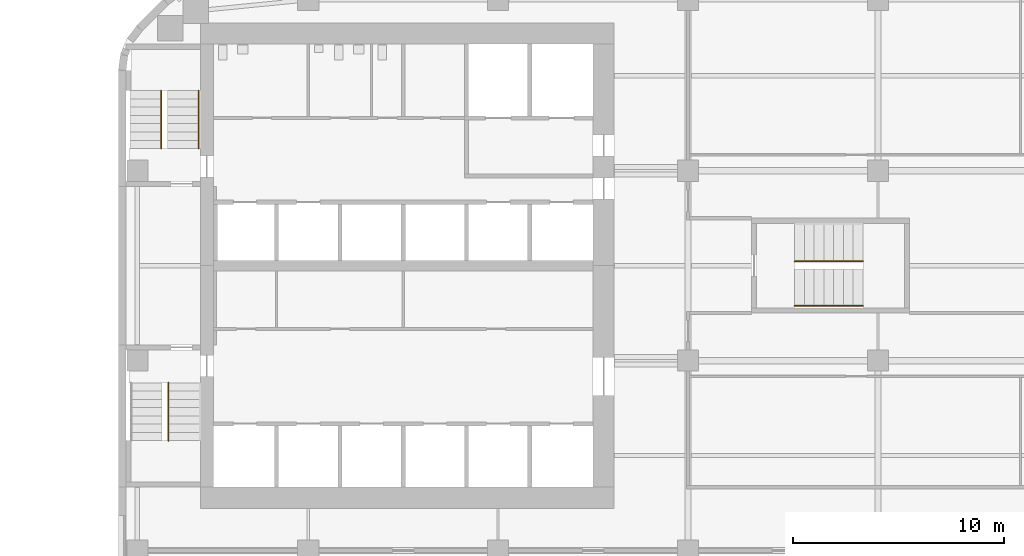
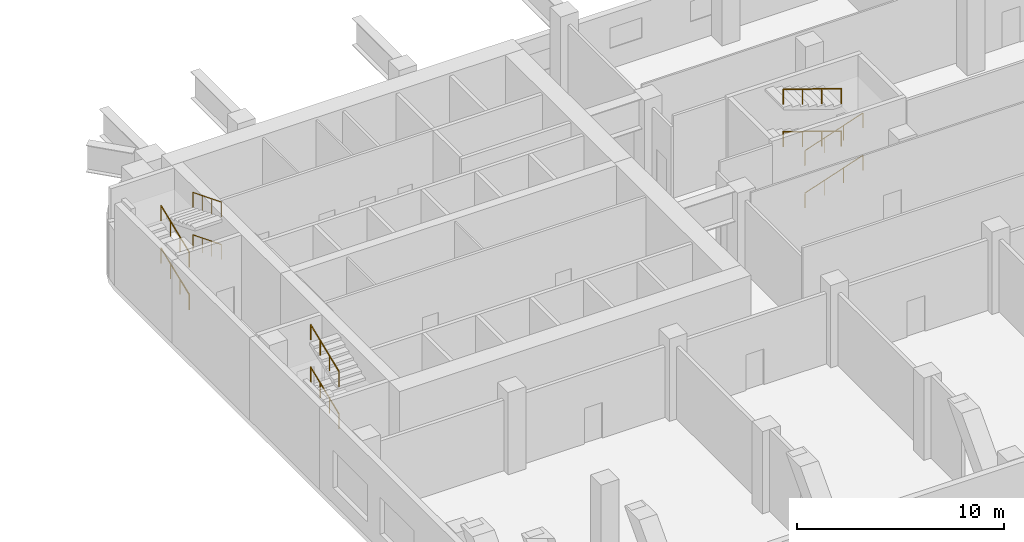
# One storey, part 13 of 14: 10 railings, 3 elements without a shape of their own.
"""IFC4 building model written with IfcOpenShell, lengths in metres."""

from ifc_helpers import new_model, si_unit, direction, frame, origin, origin_2d, place, context, subcontext, project, spatial, circle, extrude, material, type_object, element, aggregate, save


model = new_model("IFC4")

# Units and contexts
model_context = context("Model", 3, precision=1e-05, world=origin(), true_north=direction((0.0, 1.0)))
body_context = subcontext(model_context, "Body", "Model", "MODEL_VIEW")
ifc_project = project(units=[si_unit("LENGTHUNIT", "METRE"), si_unit("AREAUNIT", "SQUARE_METRE"), si_unit("VOLUMEUNIT", "CUBIC_METRE"), si_unit("PLANEANGLEUNIT", "RADIAN"), si_unit("MASSUNIT", "GRAM", prefix="KILO")], contexts=[model_context])

# Site, building, storey
site_placement = place(None, origin())
site = spatial("IfcSite", under=ifc_project, at=site_placement, CompositionType="ELEMENT")
building_placement = place(site_placement, origin())
building = spatial("IfcBuilding", under=site, at=building_placement, Name="Cinnabar Reach Civic Tower", CompositionType="ELEMENT")
storey_placement = place(building_placement, frame((0.0, 0.0, 95.0)))
storey = spatial("IfcBuildingStorey", under=building, at=storey_placement, Name="L22", CompositionType="ELEMENT", Elevation=95.0)

# Stair, railings
ifc_material_1 = material(Name="Concrete C40/50", Category="concrete")
stair_type = type_object("IfcStairType", Name="T1 Exit stair, double return", PredefinedType="DOUBLE_RETURN_STAIR", material=ifc_material_1)
stair_1_placement = place(storey_placement, origin())
stair_1 = element("IfcStair", 1, at=stair_1_placement, inside=storey, type_object=stair_type, Name="Stair T1-S1", PredefinedType="DOUBLE_RETURN_STAIR")
ifc_material_2 = material(Name="Stainless steel tube", Category="steel")
railing_type = type_object("IfcRailingType", Name="T1 Stair handrail, stainless tube 48", PredefinedType="HANDRAIL", material=ifc_material_2)
railing_1_placement = place(storey_placement, frame((2.375, 23.205, 1.4062)))
railing_1 = element("IfcRailing", 2, at=railing_1_placement, type_object=railing_type, Name="T1-S1 handrail 2", PredefinedType="HANDRAIL", context=body_context, shape_type="SweptSolid", body=[
    extrude(circle(Radius=0.024, at=origin_2d()), frame((0.0, 0.0, 0.876), z_axis=(0.0, 0.928966009512, 0.370165035047), x_axis=(-1.0, 0.0, 0.0)), (0.0, 0.0, 1.0), 2.9549),
    extrude(circle(Radius=0.021, at=origin_2d()), origin(), (0.0, 0.0, 1.0), 0.852),
    extrude(circle(Radius=0.021, at=origin_2d()), frame((0.0, 0.915, 0.3646)), (0.0, 0.0, 1.0), 0.852),
    extrude(circle(Radius=0.021, at=origin_2d()), frame((0.0, 1.83, 0.7292)), (0.0, 0.0, 1.0), 0.852),
    extrude(circle(Radius=0.021, at=origin_2d()), frame((0.0, 2.745, 1.0938)), (0.0, 0.0, 1.0), 0.852),
])
railing_2_placement = place(storey_placement, frame((2.375, 23.205, 3.9062)))
railing_2 = element("IfcRailing", 3, at=railing_2_placement, type_object=railing_type, Name="T1-S1 handrail 4", PredefinedType="HANDRAIL", context=body_context, shape_type="SweptSolid", body=[
    extrude(circle(Radius=0.024, at=origin_2d()), frame((0.0, 0.0, 0.876), z_axis=(0.0, 0.928966009512, 0.370165035047), x_axis=(-1.0, 0.0, 0.0)), (0.0, 0.0, 1.0), 2.9549),
    extrude(circle(Radius=0.021, at=origin_2d()), origin(), (0.0, 0.0, 1.0), 0.852),
    extrude(circle(Radius=0.021, at=origin_2d()), frame((0.0, 0.915, 0.3646)), (0.0, 0.0, 1.0), 0.852),
    extrude(circle(Radius=0.021, at=origin_2d()), frame((0.0, 1.83, 0.7292)), (0.0, 0.0, 1.0), 0.852),
    extrude(circle(Radius=0.021, at=origin_2d()), frame((0.0, 2.745, 1.0938)), (0.0, 0.0, 1.0), 0.852),
])
aggregate(stair_1, [railing_1, railing_2])

stair_2_placement = place(storey_placement, origin())
stair_2 = element("IfcStair", 4, at=stair_2_placement, inside=storey, type_object=stair_type, Name="Stair T1-S2", PredefinedType="DOUBLE_RETURN_STAIR")
railing_3_placement = place(storey_placement, frame((2.025, 37.05, 0.1562)))
railing_3 = element("IfcRailing", 5, at=railing_3_placement, type_object=railing_type, Name="T1-S2 handrail 1", PredefinedType="HANDRAIL", context=body_context, shape_type="SweptSolid", body=[
    extrude(circle(Radius=0.024, at=origin_2d()), frame((0.0, 0.0, 0.876), z_axis=(0.0, 0.928966009512, 0.370165035047), x_axis=(-1.0, 0.0, 0.0)), (0.0, 0.0, 1.0), 2.9549),
    extrude(circle(Radius=0.021, at=origin_2d()), origin(), (0.0, 0.0, 1.0), 0.852),
    extrude(circle(Radius=0.021, at=origin_2d()), frame((0.0, 0.915, 0.3646)), (0.0, 0.0, 1.0), 0.852),
    extrude(circle(Radius=0.021, at=origin_2d()), frame((0.0, 1.83, 0.7292)), (0.0, 0.0, 1.0), 0.852),
    extrude(circle(Radius=0.021, at=origin_2d()), frame((0.0, 2.745, 1.0938)), (0.0, 0.0, 1.0), 0.852),
])
railing_4_placement = place(storey_placement, frame((3.8, 39.795, 1.4062)))
railing_4 = element("IfcRailing", 6, at=railing_4_placement, type_object=railing_type, Name="T1-S2 handrail 2", PredefinedType="HANDRAIL", context=body_context, shape_type="SweptSolid", body=[
    extrude(circle(Radius=0.024, at=origin_2d()), frame((0.0, 0.0, 0.876), z_axis=(0.0, -0.928966009512, 0.370165035047), x_axis=(1.0, 0.0, 0.0)), (0.0, 0.0, 1.0), 2.9549),
    extrude(circle(Radius=0.021, at=origin_2d()), origin(), (0.0, 0.0, 1.0), 0.852),
    extrude(circle(Radius=0.021, at=origin_2d()), frame((0.0, -0.915, 0.3646)), (0.0, 0.0, 1.0), 0.852),
    extrude(circle(Radius=0.021, at=origin_2d()), frame((0.0, -1.83, 0.7292)), (0.0, 0.0, 1.0), 0.852),
    extrude(circle(Radius=0.021, at=origin_2d()), frame((0.0, -2.745, 1.0938)), (0.0, 0.0, 1.0), 0.852),
])
railing_5_placement = place(storey_placement, frame((2.025, 37.05, 2.6562)))
railing_5 = element("IfcRailing", 7, at=railing_5_placement, type_object=railing_type, Name="T1-S2 handrail 3", PredefinedType="HANDRAIL", context=body_context, shape_type="SweptSolid", body=[
    extrude(circle(Radius=0.024, at=origin_2d()), frame((0.0, 0.0, 0.876), z_axis=(0.0, 0.928966009512, 0.370165035047), x_axis=(-1.0, 0.0, 0.0)), (0.0, 0.0, 1.0), 2.9549),
    extrude(circle(Radius=0.021, at=origin_2d()), origin(), (0.0, 0.0, 1.0), 0.852),
    extrude(circle(Radius=0.021, at=origin_2d()), frame((0.0, 0.915, 0.3646)), (0.0, 0.0, 1.0), 0.852),
    extrude(circle(Radius=0.021, at=origin_2d()), frame((0.0, 1.83, 0.7292)), (0.0, 0.0, 1.0), 0.852),
    extrude(circle(Radius=0.021, at=origin_2d()), frame((0.0, 2.745, 1.0938)), (0.0, 0.0, 1.0), 0.852),
])
railing_6_placement = place(storey_placement, frame((3.8, 39.795, 3.9062)))
railing_6 = element("IfcRailing", 8, at=railing_6_placement, type_object=railing_type, Name="T1-S2 handrail 4", PredefinedType="HANDRAIL", context=body_context, shape_type="SweptSolid", body=[
    extrude(circle(Radius=0.024, at=origin_2d()), frame((0.0, 0.0, 0.876), z_axis=(0.0, -0.928966009512, 0.370165035047), x_axis=(1.0, 0.0, 0.0)), (0.0, 0.0, 1.0), 2.9549),
    extrude(circle(Radius=0.021, at=origin_2d()), origin(), (0.0, 0.0, 1.0), 0.852),
    extrude(circle(Radius=0.021, at=origin_2d()), frame((0.0, -0.915, 0.3646)), (0.0, 0.0, 1.0), 0.852),
    extrude(circle(Radius=0.021, at=origin_2d()), frame((0.0, -1.83, 0.7292)), (0.0, 0.0, 1.0), 0.852),
    extrude(circle(Radius=0.021, at=origin_2d()), frame((0.0, -2.745, 1.0938)), (0.0, 0.0, 1.0), 0.852),
])
aggregate(stair_2, [railing_3, railing_4, railing_5, railing_6])

stair_3_placement = place(storey_placement, origin())
stair_3 = element("IfcStair", 9, at=stair_3_placement, inside=storey, type_object=stair_type, Name="Stair T1-S3", PredefinedType="DOUBLE_RETURN_STAIR")
railing_7_placement = place(storey_placement, frame((32.05, 29.6, 0.1562)))
railing_7 = element("IfcRailing", 10, at=railing_7_placement, type_object=railing_type, Name="T1-S3 handrail 1", PredefinedType="HANDRAIL", context=body_context, shape_type="SweptSolid", body=[
    extrude(circle(Radius=0.024, at=origin_2d()), frame((0.0, 0.0, 0.876), z_axis=(0.947465695108, 0.0, 0.319857400404), x_axis=(0.0, 1.0, 0.0)), (0.0, 0.0, 1.0), 3.4196),
    extrude(circle(Radius=0.021, at=origin_2d()), origin(), (0.0, 0.0, 1.0), 0.852),
    extrude(circle(Radius=0.021, at=origin_2d()), frame((1.08, 0.0, 0.3646)), (0.0, 0.0, 1.0), 0.852),
    extrude(circle(Radius=0.021, at=origin_2d()), frame((2.16, 0.0, 0.7292)), (0.0, 0.0, 1.0), 0.852),
    extrude(circle(Radius=0.021, at=origin_2d()), frame((3.24, 0.0, 1.0938)), (0.0, 0.0, 1.0), 0.852),
])
railing_8_placement = place(storey_placement, frame((35.29, 31.7, 1.4062)))
railing_8 = element("IfcRailing", 11, at=railing_8_placement, type_object=railing_type, Name="T1-S3 handrail 2", PredefinedType="HANDRAIL", context=body_context, shape_type="SweptSolid", body=[
    extrude(circle(Radius=0.024, at=origin_2d()), frame((0.0, 0.0, 0.876), z_axis=(-0.947465695108, 0.0, 0.319857400404), x_axis=(0.0, -1.0, 0.0)), (0.0, 0.0, 1.0), 3.4196),
    extrude(circle(Radius=0.021, at=origin_2d()), origin(), (0.0, 0.0, 1.0), 0.852),
    extrude(circle(Radius=0.021, at=origin_2d()), frame((-1.08, 0.0, 0.3646)), (0.0, 0.0, 1.0), 0.852),
    extrude(circle(Radius=0.021, at=origin_2d()), frame((-2.16, 0.0, 0.7292)), (0.0, 0.0, 1.0), 0.852),
    extrude(circle(Radius=0.021, at=origin_2d()), frame((-3.24, 0.0, 1.0938)), (0.0, 0.0, 1.0), 0.852),
])
railing_9_placement = place(storey_placement, frame((32.05, 29.6, 2.6562)))
railing_9 = element("IfcRailing", 12, at=railing_9_placement, type_object=railing_type, Name="T1-S3 handrail 3", PredefinedType="HANDRAIL", context=body_context, shape_type="SweptSolid", body=[
    extrude(circle(Radius=0.024, at=origin_2d()), frame((0.0, 0.0, 0.876), z_axis=(0.947465695108, 0.0, 0.319857400404), x_axis=(0.0, 1.0, 0.0)), (0.0, 0.0, 1.0), 3.4196),
    extrude(circle(Radius=0.021, at=origin_2d()), origin(), (0.0, 0.0, 1.0), 0.852),
    extrude(circle(Radius=0.021, at=origin_2d()), frame((1.08, 0.0, 0.3646)), (0.0, 0.0, 1.0), 0.852),
    extrude(circle(Radius=0.021, at=origin_2d()), frame((2.16, 0.0, 0.7292)), (0.0, 0.0, 1.0), 0.852),
    extrude(circle(Radius=0.021, at=origin_2d()), frame((3.24, 0.0, 1.0938)), (0.0, 0.0, 1.0), 0.852),
])
railing_10_placement = place(storey_placement, frame((35.29, 31.7, 3.9062)))
railing_10 = element("IfcRailing", 13, at=railing_10_placement, type_object=railing_type, Name="T1-S3 handrail 4", PredefinedType="HANDRAIL", context=body_context, shape_type="SweptSolid", body=[
    extrude(circle(Radius=0.024, at=origin_2d()), frame((0.0, 0.0, 0.876), z_axis=(-0.947465695108, 0.0, 0.319857400404), x_axis=(0.0, -1.0, 0.0)), (0.0, 0.0, 1.0), 3.4196),
    extrude(circle(Radius=0.021, at=origin_2d()), origin(), (0.0, 0.0, 1.0), 0.852),
    extrude(circle(Radius=0.021, at=origin_2d()), frame((-1.08, 0.0, 0.3646)), (0.0, 0.0, 1.0), 0.852),
    extrude(circle(Radius=0.021, at=origin_2d()), frame((-2.16, 0.0, 0.7292)), (0.0, 0.0, 1.0), 0.852),
    extrude(circle(Radius=0.021, at=origin_2d()), frame((-3.24, 0.0, 1.0938)), (0.0, 0.0, 1.0), 0.852),
])
aggregate(stair_3, [railing_7, railing_8, railing_9, railing_10])

save(model, "model.ifc")
